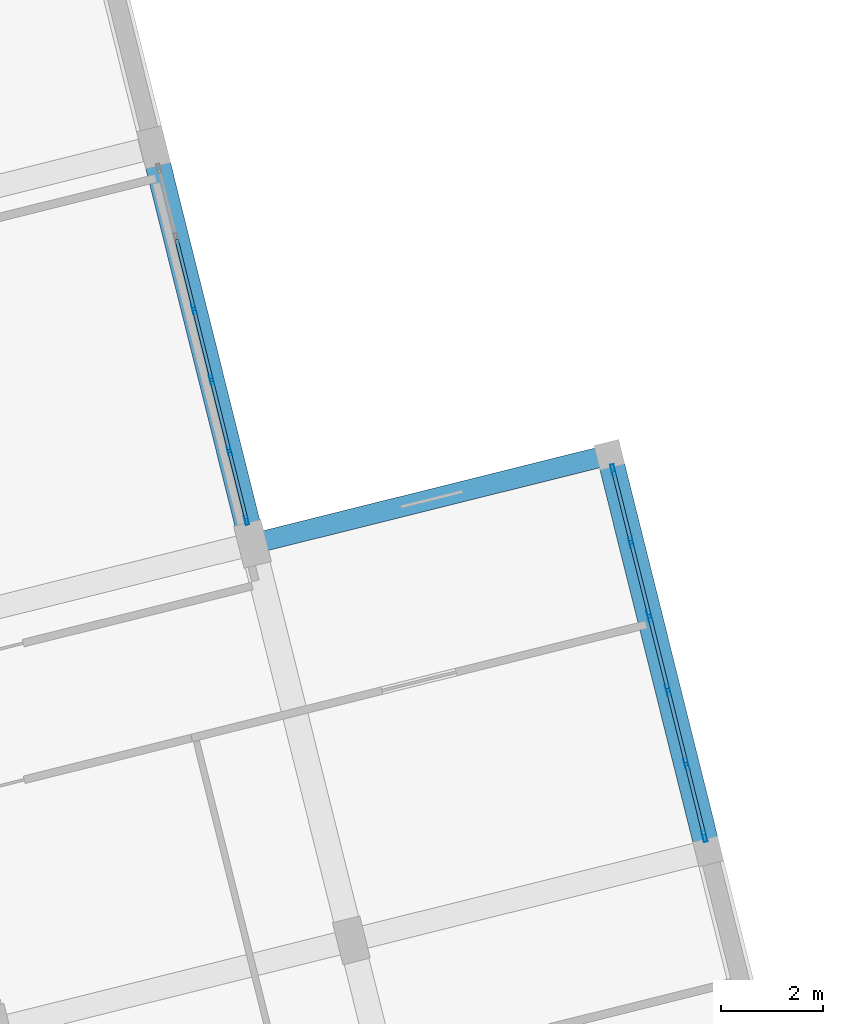
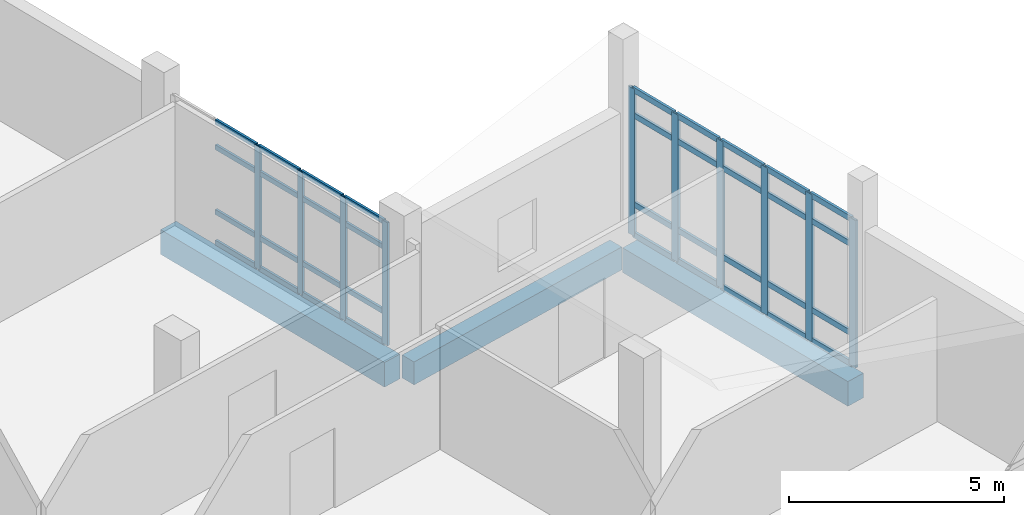
# One storey, part 112 of 164: 46 members, 3 beams, 2 elements without a shape of their own.
"""IFC4 building model written with IfcOpenShell, lengths in metres."""

from ifc_helpers import new_model, si_unit, direction, frame, origin, origin_2d, place, context, subcontext, project, spatial, rectangle, hollow_rectangle, extrude, material, layer, layer_set, material_profile, profile_set, type_object, element, aggregate, save


model = new_model("IFC4")

# Units and contexts
model_context = context("Model", 3, precision=1e-05, world=origin(), true_north=direction((0.0, 1.0)))
body_context = subcontext(model_context, "Body", "Model", "MODEL_VIEW")
ifc_project = project(units=[si_unit("LENGTHUNIT", "METRE"), si_unit("AREAUNIT", "SQUARE_METRE"), si_unit("VOLUMEUNIT", "CUBIC_METRE"), si_unit("PLANEANGLEUNIT", "RADIAN"), si_unit("MASSUNIT", "GRAM", prefix="KILO")], contexts=[model_context])

# Site, building, storey
site_placement = place(None, origin())
site = spatial("IfcSite", under=ifc_project, at=site_placement, CompositionType="ELEMENT")
building_placement = place(site_placement, origin())
building = spatial("IfcBuilding", under=site, at=building_placement, Name="Mawjan Specialist Oncology Clinic", CompositionType="ELEMENT")
storey_placement = place(building_placement, frame((0.0, 0.0, 5.0)))
storey = spatial("IfcBuildingStorey", under=building, at=storey_placement, Name="L01", CompositionType="ELEMENT", Elevation=5.0)

# Curtain wall, members
ifc_material_1 = material(Name="Unitised spectrally selective aluminium curtain wall", Category="aluminium")
ifc_layer_1 = layer(ifc_material_1, 0.179931640625, Name="Unitised spectrally selective aluminium curtain wall", Category="aluminium")
ifc_layer_set_1 = layer_set([ifc_layer_1], Name="Unitised spectrally selective aluminium curtain wall")
curtain_wall_type_1 = type_object("IfcCurtainWallType", Name="CW-51", PredefinedType="NOTDEFINED", material=ifc_layer_set_1)
curtain_wall_1_placement = place(storey_placement, origin())
curtain_wall_1 = element("IfcCurtainWall", 1, at=curtain_wall_1_placement, inside=storey, type_object=curtain_wall_type_1, Name="L01 Unitised Curtain Wall CW-L01-096", PredefinedType="NOTDEFINED")
ifc_material_2 = material(Name="Thermally broken aluminium 6063-T6", Category="aluminium")
ifc_material_profile_1 = material_profile(ifc_material_2, hollow_rectangle(XDim=0.06494140625, YDim=0.179931640625, WallThickness=0.00390625, at=origin_2d()), Name="ALU MULLION 180x65x4", Category="aluminium")
ifc_profile_set_1 = profile_set([ifc_material_profile_1], Name="Thermally broken aluminium 6063-T6")
member_type_1 = type_object("IfcMemberType", Name="CW-M180", PredefinedType="MULLION", material=ifc_profile_set_1)
member_1_placement = place(storey_placement, frame((148.9267578125, 27.892333984375, 0.0), z_axis=(0.0, 0.0, 1.0), x_axis=(0.970295690935, 0.241922037344, 0.0)))
member_1 = element("IfcMember", 2, at=member_1_placement, type_object=member_type_1, Name="CW-51 mullion 3", PredefinedType="MULLION", context=body_context, shape_type="SweptSolid", body=[
    extrude(hollow_rectangle(XDim=0.06494140625, YDim=0.179931640625, WallThickness=0.00390625, at=origin_2d()), origin(), (0.0, 0.0, 1.0), 3.485107421875),
])
member_2_placement = place(storey_placement, frame((149.273193359375, 26.502685546875, 0.0), z_axis=(0.0, 0.0, 1.0), x_axis=(0.970295690935, 0.241922037344, 0.0)))
member_2 = element("IfcMember", 3, at=member_2_placement, type_object=member_type_1, Name="CW-51 mullion 4", PredefinedType="MULLION", context=body_context, shape_type="SweptSolid", body=[
    extrude(hollow_rectangle(XDim=0.06494140625, YDim=0.179931640625, WallThickness=0.00390625, at=origin_2d()), origin(), (0.0, 0.0, 1.0), 3.485107421875),
])
member_3_placement = place(storey_placement, frame((149.61962890625, 25.11328125, 0.0), z_axis=(0.0, 0.0, 1.0), x_axis=(0.970295690935, 0.241922037344, 0.0)))
member_3 = element("IfcMember", 4, at=member_3_placement, type_object=member_type_1, Name="CW-51 mullion 5", PredefinedType="MULLION", context=body_context, shape_type="SweptSolid", body=[
    extrude(hollow_rectangle(XDim=0.06494140625, YDim=0.179931640625, WallThickness=0.00390625, at=origin_2d()), origin(), (0.0, 0.0, 1.0), 3.485107421875),
])
member_4_placement = place(storey_placement, frame((149.958251953125, 23.75537109375, 0.0), z_axis=(0.0, 0.0, 1.0), x_axis=(0.970295690935, 0.241922037344, 0.0)))
member_4 = element("IfcMember", 5, at=member_4_placement, type_object=member_type_1, Name="CW-51 mullion 6", PredefinedType="MULLION", context=body_context, shape_type="SweptSolid", body=[
    extrude(hollow_rectangle(XDim=0.06494140625, YDim=0.179931640625, WallThickness=0.00390625, at=origin_2d()), origin(), (0.0, 0.0, 1.0), 3.485107421875),
])

ifc_material_3 = material(Name="Unitised spectrally selective aluminium curtain wall", Category="aluminium")
ifc_layer_2 = layer(ifc_material_3, 0.179931640625, Name="Unitised spectrally selective aluminium curtain wall", Category="aluminium")
ifc_layer_set_2 = layer_set([ifc_layer_2], Name="Unitised spectrally selective aluminium curtain wall")
curtain_wall_type_2 = type_object("IfcCurtainWallType", Name="CW-42", PredefinedType="NOTDEFINED", material=ifc_layer_set_2)
curtain_wall_2_placement = place(storey_placement, origin())
curtain_wall_2 = element("IfcCurtainWall", 6, at=curtain_wall_2_placement, inside=storey, type_object=curtain_wall_type_2, Name="L01 Unitised Curtain Wall CW-L01-086", PredefinedType="NOTDEFINED")
ifc_material_4 = material(Name="Thermally broken aluminium 6063-T6", Category="aluminium")
ifc_material_profile_2 = material_profile(ifc_material_4, hollow_rectangle(XDim=0.070068359375, YDim=0.219970703125, WallThickness=0.00390625, at=origin_2d()), Name="ALU MULLION 220x70x4", Category="aluminium")
ifc_profile_set_2 = profile_set([ifc_material_profile_2], Name="Thermally broken aluminium 6063-T6")
member_type_2 = type_object("IfcMemberType", Name="CW-M220", PredefinedType="MULLION", material=ifc_profile_set_2)
member_5_placement = place(storey_placement, frame((157.1337890625, 24.738037109375, 0.0), z_axis=(0.0, 0.0, 1.0), x_axis=(0.97029570462, 0.241921982459, 0.0)))
member_5 = element("IfcMember", 7, at=member_5_placement, type_object=member_type_2, Name="CW-42 mullion 1", PredefinedType="MULLION", context=body_context, shape_type="SweptSolid", body=[
    extrude(hollow_rectangle(XDim=0.070068359375, YDim=0.219970703125, WallThickness=0.00390625, at=origin_2d()), origin(), (0.0, 0.0, 1.0), 4.169921875),
])
member_6_placement = place(storey_placement, frame((157.486083984375, 23.32421875, 0.0), z_axis=(0.0, 0.0, 1.0), x_axis=(0.97029570462, 0.241921982459, 0.0)))
member_6 = element("IfcMember", 8, at=member_6_placement, type_object=member_type_2, Name="CW-42 mullion 2", PredefinedType="MULLION", context=body_context, shape_type="SweptSolid", body=[
    extrude(hollow_rectangle(XDim=0.070068359375, YDim=0.219970703125, WallThickness=0.00390625, at=origin_2d()), origin(), (0.0, 0.0, 1.0), 4.169921875),
])
member_7_placement = place(storey_placement, frame((157.84716796875, 21.87646484375, 0.0), z_axis=(0.0, 0.0, 1.0), x_axis=(0.97029570462, 0.241921982459, 0.0)))
member_7 = element("IfcMember", 9, at=member_7_placement, type_object=member_type_2, Name="CW-42 mullion 3", PredefinedType="MULLION", context=body_context, shape_type="SweptSolid", body=[
    extrude(hollow_rectangle(XDim=0.070068359375, YDim=0.219970703125, WallThickness=0.00390625, at=origin_2d()), origin(), (0.0, 0.0, 1.0), 4.169921875),
])
member_8_placement = place(storey_placement, frame((158.2080078125, 20.428955078125, 0.0), z_axis=(0.0, 0.0, 1.0), x_axis=(0.97029570462, 0.241921982459, 0.0)))
member_8 = element("IfcMember", 10, at=member_8_placement, type_object=member_type_2, Name="CW-42 mullion 4", PredefinedType="MULLION", context=body_context, shape_type="SweptSolid", body=[
    extrude(hollow_rectangle(XDim=0.070068359375, YDim=0.219970703125, WallThickness=0.00390625, at=origin_2d()), origin(), (0.0, 0.0, 1.0), 4.169921875),
])
member_9_placement = place(storey_placement, frame((158.569091796875, 18.981201171875, 0.0), z_axis=(0.0, 0.0, 1.0), x_axis=(0.97029570462, 0.241921982459, 0.0)))
member_9 = element("IfcMember", 11, at=member_9_placement, type_object=member_type_2, Name="CW-42 mullion 5", PredefinedType="MULLION", context=body_context, shape_type="SweptSolid", body=[
    extrude(hollow_rectangle(XDim=0.070068359375, YDim=0.219970703125, WallThickness=0.00390625, at=origin_2d()), origin(), (0.0, 0.0, 1.0), 4.169921875),
])
member_10_placement = place(storey_placement, frame((158.92138671875, 17.5673828125, 0.0), z_axis=(0.0, 0.0, 1.0), x_axis=(0.97029570462, 0.241921982459, 0.0)))
member_10 = element("IfcMember", 12, at=member_10_placement, type_object=member_type_2, Name="CW-42 mullion 6", PredefinedType="MULLION", context=body_context, shape_type="SweptSolid", body=[
    extrude(hollow_rectangle(XDim=0.070068359375, YDim=0.219970703125, WallThickness=0.00390625, at=origin_2d()), origin(), (0.0, 0.0, 1.0), 4.169921875),
])

# Member
ifc_material_5 = material(Name="Thermally broken aluminium 6063-T6", Category="aluminium")
ifc_material_profile_3 = material_profile(ifc_material_5, hollow_rectangle(XDim=0.06494140625, YDim=0.139892578125, WallThickness=0.00390625, at=origin_2d()), Name="ALU TRANSOM 140x65x4", Category="aluminium")
ifc_profile_set_3 = profile_set([ifc_material_profile_3], Name="Thermally broken aluminium 6063-T6")
member_type_3 = type_object("IfcMemberType", Name="CW-T140", PredefinedType="USERDEFINED", material=ifc_profile_set_3)
member_11_placement = place(storey_placement, frame((148.588134765625, 29.250244140625, 0.032470703125), z_axis=(0.241989311605, -0.97027891509, 0.0), x_axis=(0.97027891509, 0.241989311605, 0.0)))
member_11 = element("IfcMember", 13, at=member_11_placement, type_object=member_type_3, Name="CW-51 transom 2.1", ObjectType="TRANSOM", PredefinedType="USERDEFINED", context=body_context, shape_type="SweptSolid", body=[
    extrude(hollow_rectangle(XDim=0.06494140625, YDim=0.139892578125, WallThickness=0.00390625, at=origin_2d()), origin(), (0.0, 0.0, 1.0), 1.366943359375),
])

member_12_placement = place(storey_placement, frame((148.588134765625, 29.250244140625, 0.89990234375), z_axis=(0.241989311605, -0.97027891509, 0.0), x_axis=(0.97027891509, 0.241989311605, 0.0)))
member_12 = element("IfcMember", 14, at=member_12_placement, type_object=member_type_3, Name="CW-51 transom 2.2", ObjectType="TRANSOM", PredefinedType="USERDEFINED", context=body_context, shape_type="SweptSolid", body=[
    extrude(hollow_rectangle(XDim=0.06494140625, YDim=0.139892578125, WallThickness=0.00390625, at=origin_2d()), origin(), (0.0, 0.0, 1.0), 1.366943359375),
])

member_13_placement = place(storey_placement, frame((148.588134765625, 29.250244140625, 2.735107421875), z_axis=(0.241989311605, -0.97027891509, 0.0), x_axis=(0.97027891509, 0.241989311605, 0.0)))
member_13 = element("IfcMember", 15, at=member_13_placement, type_object=member_type_3, Name="CW-51 transom 2.3", ObjectType="TRANSOM", PredefinedType="USERDEFINED", context=body_context, shape_type="SweptSolid", body=[
    extrude(hollow_rectangle(XDim=0.06494140625, YDim=0.139892578125, WallThickness=0.00390625, at=origin_2d()), origin(), (0.0, 0.0, 1.0), 1.366943359375),
])

member_14_placement = place(storey_placement, frame((148.588134765625, 29.250244140625, 3.452392578125), z_axis=(0.241989311605, -0.97027891509, 0.0), x_axis=(0.97027891509, 0.241989311605, 0.0)))
member_14 = element("IfcMember", 16, at=member_14_placement, type_object=member_type_3, Name="CW-51 transom 2.4", ObjectType="TRANSOM", PredefinedType="USERDEFINED", context=body_context, shape_type="SweptSolid", body=[
    extrude(hollow_rectangle(XDim=0.06494140625, YDim=0.139892578125, WallThickness=0.00390625, at=origin_2d()), origin(), (0.0, 0.0, 1.0), 1.366943359375),
])

member_15_placement = place(storey_placement, frame((148.9345703125, 27.86083984375, 0.032470703125), z_axis=(0.241989311605, -0.97027891509, 0.0), x_axis=(0.97027891509, 0.241989311605, 0.0)))
member_15 = element("IfcMember", 17, at=member_15_placement, type_object=member_type_3, Name="CW-51 transom 3.1", ObjectType="TRANSOM", PredefinedType="USERDEFINED", context=body_context, shape_type="SweptSolid", body=[
    extrude(hollow_rectangle(XDim=0.06494140625, YDim=0.139892578125, WallThickness=0.00390625, at=origin_2d()), origin(), (0.0, 0.0, 1.0), 1.366943359375),
])

member_16_placement = place(storey_placement, frame((148.9345703125, 27.86083984375, 0.89990234375), z_axis=(0.241989311605, -0.97027891509, 0.0), x_axis=(0.97027891509, 0.241989311605, 0.0)))
member_16 = element("IfcMember", 18, at=member_16_placement, type_object=member_type_3, Name="CW-51 transom 3.2", ObjectType="TRANSOM", PredefinedType="USERDEFINED", context=body_context, shape_type="SweptSolid", body=[
    extrude(hollow_rectangle(XDim=0.06494140625, YDim=0.139892578125, WallThickness=0.00390625, at=origin_2d()), origin(), (0.0, 0.0, 1.0), 1.366943359375),
])

member_17_placement = place(storey_placement, frame((148.9345703125, 27.86083984375, 2.735107421875), z_axis=(0.241989311605, -0.97027891509, 0.0), x_axis=(0.97027891509, 0.241989311605, 0.0)))
member_17 = element("IfcMember", 19, at=member_17_placement, type_object=member_type_3, Name="CW-51 transom 3.3", ObjectType="TRANSOM", PredefinedType="USERDEFINED", context=body_context, shape_type="SweptSolid", body=[
    extrude(hollow_rectangle(XDim=0.06494140625, YDim=0.139892578125, WallThickness=0.00390625, at=origin_2d()), origin(), (0.0, 0.0, 1.0), 1.366943359375),
])

member_18_placement = place(storey_placement, frame((148.9345703125, 27.86083984375, 3.452392578125), z_axis=(0.241989311605, -0.97027891509, 0.0), x_axis=(0.97027891509, 0.241989311605, 0.0)))
member_18 = element("IfcMember", 20, at=member_18_placement, type_object=member_type_3, Name="CW-51 transom 3.4", ObjectType="TRANSOM", PredefinedType="USERDEFINED", context=body_context, shape_type="SweptSolid", body=[
    extrude(hollow_rectangle(XDim=0.06494140625, YDim=0.139892578125, WallThickness=0.00390625, at=origin_2d()), origin(), (0.0, 0.0, 1.0), 1.366943359375),
])

member_19_placement = place(storey_placement, frame((149.281005859375, 26.47119140625, 0.032470703125), z_axis=(0.241989311605, -0.97027891509, 0.0), x_axis=(0.97027891509, 0.241989311605, 0.0)))
member_19 = element("IfcMember", 21, at=member_19_placement, type_object=member_type_3, Name="CW-51 transom 4.1", ObjectType="TRANSOM", PredefinedType="USERDEFINED", context=body_context, shape_type="SweptSolid", body=[
    extrude(hollow_rectangle(XDim=0.06494140625, YDim=0.139892578125, WallThickness=0.00390625, at=origin_2d()), origin(), (0.0, 0.0, 1.0), 1.366943359375),
])

member_20_placement = place(storey_placement, frame((149.281005859375, 26.47119140625, 0.89990234375), z_axis=(0.241989311605, -0.97027891509, 0.0), x_axis=(0.97027891509, 0.241989311605, 0.0)))
member_20 = element("IfcMember", 22, at=member_20_placement, type_object=member_type_3, Name="CW-51 transom 4.2", ObjectType="TRANSOM", PredefinedType="USERDEFINED", context=body_context, shape_type="SweptSolid", body=[
    extrude(hollow_rectangle(XDim=0.06494140625, YDim=0.139892578125, WallThickness=0.00390625, at=origin_2d()), origin(), (0.0, 0.0, 1.0), 1.366943359375),
])

member_21_placement = place(storey_placement, frame((149.281005859375, 26.47119140625, 2.735107421875), z_axis=(0.241989311605, -0.97027891509, 0.0), x_axis=(0.97027891509, 0.241989311605, 0.0)))
member_21 = element("IfcMember", 23, at=member_21_placement, type_object=member_type_3, Name="CW-51 transom 4.3", ObjectType="TRANSOM", PredefinedType="USERDEFINED", context=body_context, shape_type="SweptSolid", body=[
    extrude(hollow_rectangle(XDim=0.06494140625, YDim=0.139892578125, WallThickness=0.00390625, at=origin_2d()), origin(), (0.0, 0.0, 1.0), 1.366943359375),
])

member_22_placement = place(storey_placement, frame((149.281005859375, 26.47119140625, 3.452392578125), z_axis=(0.241989311605, -0.97027891509, 0.0), x_axis=(0.97027891509, 0.241989311605, 0.0)))
member_22 = element("IfcMember", 24, at=member_22_placement, type_object=member_type_3, Name="CW-51 transom 4.4", ObjectType="TRANSOM", PredefinedType="USERDEFINED", context=body_context, shape_type="SweptSolid", body=[
    extrude(hollow_rectangle(XDim=0.06494140625, YDim=0.139892578125, WallThickness=0.00390625, at=origin_2d()), origin(), (0.0, 0.0, 1.0), 1.366943359375),
])

member_23_placement = place(storey_placement, frame((149.62744140625, 25.081787109375, 0.032470703125), z_axis=(0.242019076692, -0.970271491139, 0.0), x_axis=(0.970271491139, 0.242019076692, 0.0)))
member_23 = element("IfcMember", 25, at=member_23_placement, type_object=member_type_3, Name="CW-51 transom 5.1", ObjectType="TRANSOM", PredefinedType="USERDEFINED", context=body_context, shape_type="SweptSolid", body=[
    extrude(hollow_rectangle(XDim=0.06494140625, YDim=0.139892578125, WallThickness=0.00390625, at=origin_2d()), origin(), (0.0, 0.0, 1.0), 1.334716796875),
])

member_24_placement = place(storey_placement, frame((149.62744140625, 25.081787109375, 0.89990234375), z_axis=(0.242019076692, -0.970271491139, 0.0), x_axis=(0.970271491139, 0.242019076692, 0.0)))
member_24 = element("IfcMember", 26, at=member_24_placement, type_object=member_type_3, Name="CW-51 transom 5.2", ObjectType="TRANSOM", PredefinedType="USERDEFINED", context=body_context, shape_type="SweptSolid", body=[
    extrude(hollow_rectangle(XDim=0.06494140625, YDim=0.139892578125, WallThickness=0.00390625, at=origin_2d()), origin(), (0.0, 0.0, 1.0), 1.334716796875),
])

member_25_placement = place(storey_placement, frame((149.62744140625, 25.081787109375, 2.735107421875), z_axis=(0.242019076692, -0.970271491139, 0.0), x_axis=(0.970271491139, 0.242019076692, 0.0)))
member_25 = element("IfcMember", 27, at=member_25_placement, type_object=member_type_3, Name="CW-51 transom 5.3", ObjectType="TRANSOM", PredefinedType="USERDEFINED", context=body_context, shape_type="SweptSolid", body=[
    extrude(hollow_rectangle(XDim=0.06494140625, YDim=0.139892578125, WallThickness=0.00390625, at=origin_2d()), origin(), (0.0, 0.0, 1.0), 1.334716796875),
])

member_26_placement = place(storey_placement, frame((149.62744140625, 25.081787109375, 3.452392578125), z_axis=(0.242019076692, -0.970271491139, 0.0), x_axis=(0.970271491139, 0.242019076692, 0.0)))
member_26 = element("IfcMember", 28, at=member_26_placement, type_object=member_type_3, Name="CW-51 transom 5.4", ObjectType="TRANSOM", PredefinedType="USERDEFINED", context=body_context, shape_type="SweptSolid", body=[
    extrude(hollow_rectangle(XDim=0.06494140625, YDim=0.139892578125, WallThickness=0.00390625, at=origin_2d()), origin(), (0.0, 0.0, 1.0), 1.334716796875),
])

aggregate(curtain_wall_1, [member_1, member_2, member_3, member_4, member_11, member_12, member_13, member_14, member_15, member_16, member_17, member_18, member_19, member_20, member_21, member_22, member_23, member_24, member_25, member_26])

ifc_material_6 = material(Name="Thermally broken aluminium 6063-T6", Category="aluminium")
ifc_material_profile_4 = material_profile(ifc_material_6, hollow_rectangle(XDim=0.070068359375, YDim=0.159912109375, WallThickness=0.00390625, at=origin_2d()), Name="ALU TRANSOM 160x70x4", Category="aluminium")
ifc_profile_set_4 = profile_set([ifc_material_profile_4], Name="Thermally broken aluminium 6063-T6")
member_type_4 = type_object("IfcMemberType", Name="CW-T160", PredefinedType="USERDEFINED", material=ifc_profile_set_4)
member_27_placement = place(storey_placement, frame((157.14208984375, 24.7041015625, 0.034912109375), z_axis=(0.241997240891, -0.970276937478, 0.0), x_axis=(0.970276937478, 0.241997240891, 0.0)))
member_27 = element("IfcMember", 29, at=member_27_placement, type_object=member_type_4, Name="CW-42 transom 1.1", ObjectType="TRANSOM", PredefinedType="USERDEFINED", context=body_context, shape_type="SweptSolid", body=[
    extrude(hollow_rectangle(XDim=0.070068359375, YDim=0.159912109375, WallThickness=0.00390625, at=origin_2d()), origin(), (0.0, 0.0, 1.0), 1.38720703125),
])

member_28_placement = place(storey_placement, frame((157.14208984375, 24.7041015625, 0.89990234375), z_axis=(0.241997240891, -0.970276937478, 0.0), x_axis=(0.970276937478, 0.241997240891, 0.0)))
member_28 = element("IfcMember", 30, at=member_28_placement, type_object=member_type_4, Name="CW-42 transom 1.2", ObjectType="TRANSOM", PredefinedType="USERDEFINED", context=body_context, shape_type="SweptSolid", body=[
    extrude(hollow_rectangle(XDim=0.070068359375, YDim=0.159912109375, WallThickness=0.00390625, at=origin_2d()), origin(), (0.0, 0.0, 1.0), 1.38720703125),
])

member_29_placement = place(storey_placement, frame((157.14208984375, 24.7041015625, 3.419921875), z_axis=(0.241997240891, -0.970276937478, 0.0), x_axis=(0.970276937478, 0.241997240891, 0.0)))
member_29 = element("IfcMember", 31, at=member_29_placement, type_object=member_type_4, Name="CW-42 transom 1.3", ObjectType="TRANSOM", PredefinedType="USERDEFINED", context=body_context, shape_type="SweptSolid", body=[
    extrude(hollow_rectangle(XDim=0.070068359375, YDim=0.159912109375, WallThickness=0.00390625, at=origin_2d()), origin(), (0.0, 0.0, 1.0), 1.38720703125),
])

member_30_placement = place(storey_placement, frame((157.14208984375, 24.7041015625, 4.135009765625), z_axis=(0.241997240891, -0.970276937478, 0.0), x_axis=(0.970276937478, 0.241997240891, 0.0)))
member_30 = element("IfcMember", 32, at=member_30_placement, type_object=member_type_4, Name="CW-42 transom 1.4", ObjectType="TRANSOM", PredefinedType="USERDEFINED", context=body_context, shape_type="SweptSolid", body=[
    extrude(hollow_rectangle(XDim=0.070068359375, YDim=0.159912109375, WallThickness=0.00390625, at=origin_2d()), origin(), (0.0, 0.0, 1.0), 1.38720703125),
])

member_31_placement = place(storey_placement, frame((157.49462890625, 23.290283203125, 0.034912109375), z_axis=(0.241929567029, -0.970293813542, 0.0), x_axis=(0.970293813542, 0.241929567029, 0.0)))
member_31 = element("IfcMember", 33, at=member_31_placement, type_object=member_type_4, Name="CW-42 transom 2.1", ObjectType="TRANSOM", PredefinedType="USERDEFINED", context=body_context, shape_type="SweptSolid", body=[
    extrude(hollow_rectangle(XDim=0.070068359375, YDim=0.159912109375, WallThickness=0.00390625, at=origin_2d()), origin(), (0.0, 0.0, 1.0), 1.421875),
])

member_32_placement = place(storey_placement, frame((157.49462890625, 23.290283203125, 0.89990234375), z_axis=(0.241929567029, -0.970293813542, 0.0), x_axis=(0.970293813542, 0.241929567029, 0.0)))
member_32 = element("IfcMember", 34, at=member_32_placement, type_object=member_type_4, Name="CW-42 transom 2.2", ObjectType="TRANSOM", PredefinedType="USERDEFINED", context=body_context, shape_type="SweptSolid", body=[
    extrude(hollow_rectangle(XDim=0.070068359375, YDim=0.159912109375, WallThickness=0.00390625, at=origin_2d()), origin(), (0.0, 0.0, 1.0), 1.421875),
])

member_33_placement = place(storey_placement, frame((157.49462890625, 23.290283203125, 3.419921875), z_axis=(0.241929567029, -0.970293813542, 0.0), x_axis=(0.970293813542, 0.241929567029, 0.0)))
member_33 = element("IfcMember", 35, at=member_33_placement, type_object=member_type_4, Name="CW-42 transom 2.3", ObjectType="TRANSOM", PredefinedType="USERDEFINED", context=body_context, shape_type="SweptSolid", body=[
    extrude(hollow_rectangle(XDim=0.070068359375, YDim=0.159912109375, WallThickness=0.00390625, at=origin_2d()), origin(), (0.0, 0.0, 1.0), 1.421875),
])

member_34_placement = place(storey_placement, frame((157.49462890625, 23.290283203125, 4.135009765625), z_axis=(0.241929567029, -0.970293813542, 0.0), x_axis=(0.970293813542, 0.241929567029, 0.0)))
member_34 = element("IfcMember", 36, at=member_34_placement, type_object=member_type_4, Name="CW-42 transom 2.4", ObjectType="TRANSOM", PredefinedType="USERDEFINED", context=body_context, shape_type="SweptSolid", body=[
    extrude(hollow_rectangle(XDim=0.070068359375, YDim=0.159912109375, WallThickness=0.00390625, at=origin_2d()), origin(), (0.0, 0.0, 1.0), 1.421875),
])

member_35_placement = place(storey_placement, frame((157.85546875, 21.842529296875, 0.034912109375), z_axis=(0.242091210219, -0.970253495709, 0.0), x_axis=(0.970253495709, 0.242091210219, 0.0)))
member_35 = element("IfcMember", 37, at=member_35_placement, type_object=member_type_4, Name="CW-42 transom 3.1", ObjectType="TRANSOM", PredefinedType="USERDEFINED", context=body_context, shape_type="SweptSolid", body=[
    extrude(hollow_rectangle(XDim=0.070068359375, YDim=0.159912109375, WallThickness=0.00390625, at=origin_2d()), origin(), (0.0, 0.0, 1.0), 1.421875),
])

member_36_placement = place(storey_placement, frame((157.85546875, 21.842529296875, 0.89990234375), z_axis=(0.242091210219, -0.970253495709, 0.0), x_axis=(0.970253495709, 0.242091210219, 0.0)))
member_36 = element("IfcMember", 38, at=member_36_placement, type_object=member_type_4, Name="CW-42 transom 3.2", ObjectType="TRANSOM", PredefinedType="USERDEFINED", context=body_context, shape_type="SweptSolid", body=[
    extrude(hollow_rectangle(XDim=0.070068359375, YDim=0.159912109375, WallThickness=0.00390625, at=origin_2d()), origin(), (0.0, 0.0, 1.0), 1.421875),
])

member_37_placement = place(storey_placement, frame((157.85546875, 21.842529296875, 3.419921875), z_axis=(0.242091210219, -0.970253495709, 0.0), x_axis=(0.970253495709, 0.242091210219, 0.0)))
member_37 = element("IfcMember", 39, at=member_37_placement, type_object=member_type_4, Name="CW-42 transom 3.3", ObjectType="TRANSOM", PredefinedType="USERDEFINED", context=body_context, shape_type="SweptSolid", body=[
    extrude(hollow_rectangle(XDim=0.070068359375, YDim=0.159912109375, WallThickness=0.00390625, at=origin_2d()), origin(), (0.0, 0.0, 1.0), 1.421875),
])

member_38_placement = place(storey_placement, frame((157.85546875, 21.842529296875, 4.135009765625), z_axis=(0.242091210219, -0.970253495709, 0.0), x_axis=(0.970253495709, 0.242091210219, 0.0)))
member_38 = element("IfcMember", 40, at=member_38_placement, type_object=member_type_4, Name="CW-42 transom 3.4", ObjectType="TRANSOM", PredefinedType="USERDEFINED", context=body_context, shape_type="SweptSolid", body=[
    extrude(hollow_rectangle(XDim=0.070068359375, YDim=0.159912109375, WallThickness=0.00390625, at=origin_2d()), origin(), (0.0, 0.0, 1.0), 1.421875),
])

member_39_placement = place(storey_placement, frame((158.216552734375, 20.39501953125, 0.034912109375), z_axis=(0.241889267491, -0.970303860794, 0.0), x_axis=(0.970303860794, 0.241889267491, 0.0)))
member_39 = element("IfcMember", 41, at=member_39_placement, type_object=member_type_4, Name="CW-42 transom 4.1", ObjectType="TRANSOM", PredefinedType="USERDEFINED", context=body_context, shape_type="SweptSolid", body=[
    extrude(hollow_rectangle(XDim=0.070068359375, YDim=0.159912109375, WallThickness=0.00390625, at=origin_2d()), origin(), (0.0, 0.0, 1.0), 1.422119140625),
])

member_40_placement = place(storey_placement, frame((158.216552734375, 20.39501953125, 0.89990234375), z_axis=(0.241889267491, -0.970303860794, 0.0), x_axis=(0.970303860794, 0.241889267491, 0.0)))
member_40 = element("IfcMember", 42, at=member_40_placement, type_object=member_type_4, Name="CW-42 transom 4.2", ObjectType="TRANSOM", PredefinedType="USERDEFINED", context=body_context, shape_type="SweptSolid", body=[
    extrude(hollow_rectangle(XDim=0.070068359375, YDim=0.159912109375, WallThickness=0.00390625, at=origin_2d()), origin(), (0.0, 0.0, 1.0), 1.422119140625),
])

member_41_placement = place(storey_placement, frame((158.216552734375, 20.39501953125, 3.419921875), z_axis=(0.241889267491, -0.970303860794, 0.0), x_axis=(0.970303860794, 0.241889267491, 0.0)))
member_41 = element("IfcMember", 43, at=member_41_placement, type_object=member_type_4, Name="CW-42 transom 4.3", ObjectType="TRANSOM", PredefinedType="USERDEFINED", context=body_context, shape_type="SweptSolid", body=[
    extrude(hollow_rectangle(XDim=0.070068359375, YDim=0.159912109375, WallThickness=0.00390625, at=origin_2d()), origin(), (0.0, 0.0, 1.0), 1.422119140625),
])

member_42_placement = place(storey_placement, frame((158.216552734375, 20.39501953125, 4.135009765625), z_axis=(0.241889267491, -0.970303860794, 0.0), x_axis=(0.970303860794, 0.241889267491, 0.0)))
member_42 = element("IfcMember", 44, at=member_42_placement, type_object=member_type_4, Name="CW-42 transom 4.4", ObjectType="TRANSOM", PredefinedType="USERDEFINED", context=body_context, shape_type="SweptSolid", body=[
    extrude(hollow_rectangle(XDim=0.070068359375, YDim=0.159912109375, WallThickness=0.00390625, at=origin_2d()), origin(), (0.0, 0.0, 1.0), 1.422119140625),
])

member_43_placement = place(storey_placement, frame((158.577392578125, 18.947265625, 0.034912109375), z_axis=(0.242038572823, -0.970266627926, 0.0), x_axis=(0.970266627926, 0.242038572823, 0.0)))
member_43 = element("IfcMember", 45, at=member_43_placement, type_object=member_type_4, Name="CW-42 transom 5.1", ObjectType="TRANSOM", PredefinedType="USERDEFINED", context=body_context, shape_type="SweptSolid", body=[
    extrude(hollow_rectangle(XDim=0.070068359375, YDim=0.159912109375, WallThickness=0.00390625, at=origin_2d()), origin(), (0.0, 0.0, 1.0), 1.386962890625),
])

member_44_placement = place(storey_placement, frame((158.577392578125, 18.947265625, 0.89990234375), z_axis=(0.242038572823, -0.970266627926, 0.0), x_axis=(0.970266627926, 0.242038572823, 0.0)))
member_44 = element("IfcMember", 46, at=member_44_placement, type_object=member_type_4, Name="CW-42 transom 5.2", ObjectType="TRANSOM", PredefinedType="USERDEFINED", context=body_context, shape_type="SweptSolid", body=[
    extrude(hollow_rectangle(XDim=0.070068359375, YDim=0.159912109375, WallThickness=0.00390625, at=origin_2d()), origin(), (0.0, 0.0, 1.0), 1.386962890625),
])

member_45_placement = place(storey_placement, frame((158.577392578125, 18.947265625, 3.419921875), z_axis=(0.242038572823, -0.970266627926, 0.0), x_axis=(0.970266627926, 0.242038572823, 0.0)))
member_45 = element("IfcMember", 47, at=member_45_placement, type_object=member_type_4, Name="CW-42 transom 5.3", ObjectType="TRANSOM", PredefinedType="USERDEFINED", context=body_context, shape_type="SweptSolid", body=[
    extrude(hollow_rectangle(XDim=0.070068359375, YDim=0.159912109375, WallThickness=0.00390625, at=origin_2d()), origin(), (0.0, 0.0, 1.0), 1.386962890625),
])

member_46_placement = place(storey_placement, frame((158.577392578125, 18.947265625, 4.135009765625), z_axis=(0.242038572823, -0.970266627926, 0.0), x_axis=(0.970266627926, 0.242038572823, 0.0)))
member_46 = element("IfcMember", 48, at=member_46_placement, type_object=member_type_4, Name="CW-42 transom 5.4", ObjectType="TRANSOM", PredefinedType="USERDEFINED", context=body_context, shape_type="SweptSolid", body=[
    extrude(hollow_rectangle(XDim=0.070068359375, YDim=0.159912109375, WallThickness=0.00390625, at=origin_2d()), origin(), (0.0, 0.0, 1.0), 1.386962890625),
])

aggregate(curtain_wall_2, [member_5, member_6, member_7, member_8, member_9, member_10, member_27, member_28, member_29, member_30, member_31, member_32, member_33, member_34, member_35, member_36, member_37, member_38, member_39, member_40, member_41, member_42, member_43, member_44, member_45, member_46])

# Beams
ifc_material_7 = material(Name="Concrete C45/55", Category="concrete")
ifc_material_profile_5 = material_profile(ifc_material_7, rectangle(XDim=0.39990234375, YDim=0.64990234375, at=origin_2d()), Name="RC BM 400x650", Category="concrete")
ifc_profile_set_5 = profile_set([ifc_material_profile_5], Name="Concrete C45/55")
beam_type_1 = type_object("IfcBeamType", Name="SP-400x650", PredefinedType="SPANDREL", material=ifc_profile_set_5)
beam_1_placement = place(storey_placement, frame((150.325927734375, 23.35498046875, -0.625), z_axis=(0.970296517902, 0.24191872054, 0.0), x_axis=(-0.24191872054, 0.970296517902, 0.0)))
element("IfcBeam", 49, at=beam_1_placement, inside=storey, type_object=beam_type_1, Name="L01 Spandrel Beam BM-L01-0599", PredefinedType="SPANDREL", context=body_context, shape_type="SweptSolid", body=[
    extrude(rectangle(XDim=0.39990234375, YDim=0.64990234375, at=origin_2d()), origin(), (0.0, 0.0, 1.0), 6.705078125),
])
ifc_material_8 = material(Name="Concrete C45/55", Category="concrete")
ifc_material_profile_6 = material_profile(ifc_material_8, rectangle(XDim=0.5, YDim=0.699951171875, at=origin_2d()), Name="RC BM 500x700", Category="concrete")
ifc_profile_set_6 = profile_set([ifc_material_profile_6], Name="Concrete C45/55")
beam_type_2 = type_object("IfcBeamType", Name="SP-500x700", PredefinedType="SPANDREL", material=ifc_profile_set_6)
beam_2_placement = place(storey_placement, frame((150.010986328125, 23.54443359375, -0.64990234375), z_axis=(-0.241951921403, 0.970288239509, 0.0), x_axis=(-0.970288239509, -0.241951921403, 0.0)))
element("IfcBeam", 50, at=beam_2_placement, inside=storey, type_object=beam_type_2, Name="L01 Spandrel Beam BM-L01-0632", PredefinedType="SPANDREL", context=body_context, shape_type="SweptSolid", body=[
    extrude(rectangle(XDim=0.5, YDim=0.699951171875, at=origin_2d()), origin(), (0.0, 0.0, 1.0), 7.47998046875),
])
beam_3_placement = place(storey_placement, frame((158.9384765625, 17.49951171875, -0.64990234375), z_axis=(-0.241932910606, 0.97029297986, 0.0), x_axis=(-0.97029297986, -0.241932910606, 0.0)))
element("IfcBeam", 51, at=beam_3_placement, inside=storey, type_object=beam_type_2, Name="L01 Spandrel Beam BM-L01-0636", PredefinedType="SPANDREL", context=body_context, shape_type="SweptSolid", body=[
    extrude(rectangle(XDim=0.5, YDim=0.699951171875, at=origin_2d()), origin(), (0.0, 0.0, 1.0), 7.530029296875),
])

save(model, "model.ifc")
